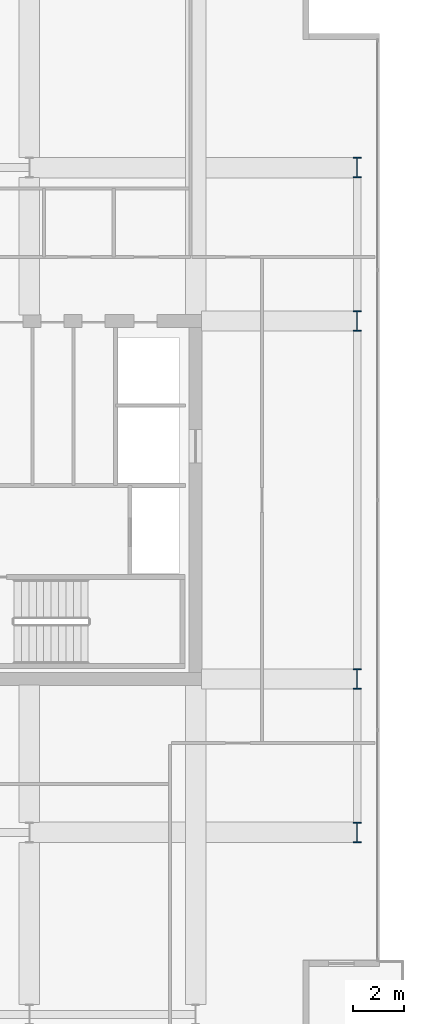
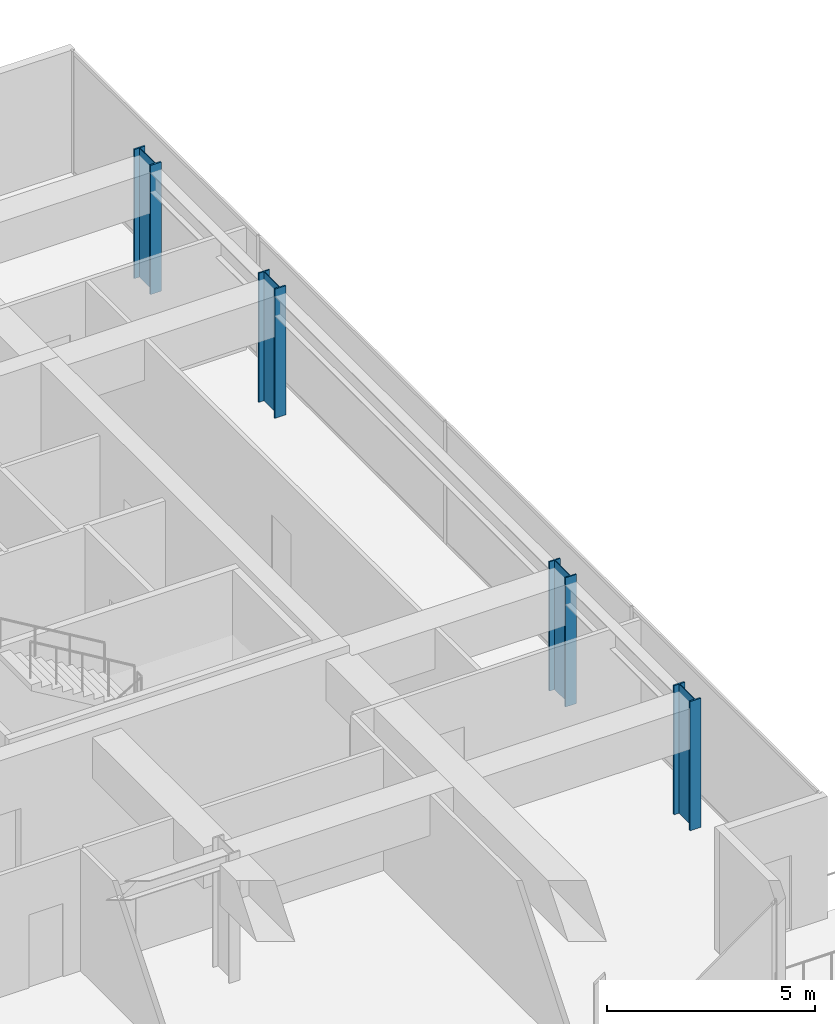
# One storey, part 2 of 24: 4 columns.
"""IFC4 building model written with IfcOpenShell, lengths in metres."""

from ifc_helpers import new_model, si_unit, direction, frame, origin, origin_2d, place, context, subcontext, project, spatial, i_section, extrude, material, material_profile, profile_set, type_object, element, save


model = new_model("IFC4")

# Units and contexts
model_context = context("Model", 3, precision=1e-05, world=origin(), true_north=direction((0.0, 1.0)))
body_context = subcontext(model_context, "Body", "Model", "MODEL_VIEW")
ifc_project = project(units=[si_unit("LENGTHUNIT", "METRE"), si_unit("AREAUNIT", "SQUARE_METRE"), si_unit("VOLUMEUNIT", "CUBIC_METRE"), si_unit("PLANEANGLEUNIT", "RADIAN"), si_unit("MASSUNIT", "GRAM", prefix="KILO")], contexts=[model_context])

# Site, building, storey
site_placement = place(None, origin())
site = spatial("IfcSite", under=ifc_project, at=site_placement, CompositionType="ELEMENT")
building_placement = place(site_placement, origin())
building = spatial("IfcBuilding", under=site, at=building_placement, Name="Putna Gate Headquarters", CompositionType="ELEMENT")
storey_placement = place(building_placement, frame((0.0, 0.0, 251.800048828125)))
storey = spatial("IfcBuildingStorey", under=building, at=storey_placement, Name="L63", CompositionType="ELEMENT", Elevation=251.800048828125)

# Columns
ifc_material = material(Name="Steel S460M", Category="steel")
ifc_material_profile = material_profile(ifc_material, i_section(OverallWidth=0.302978515625, OverallDepth=0.81396484375, WebThickness=0.02099609375, FlangeThickness=0.0400390625, at=origin_2d()), Name="Steel S460M")
ifc_profile_set = profile_set([ifc_material_profile], Name="Steel S460M")
column_type = type_object("IfcColumnType", Name="COL-STL-HEM800-EXT", PredefinedType="COLUMN", material=ifc_profile_set)
for number, where, z_axis, x_axis, name in (
    (1, (71.320068359375, 13.0, 0.0), (0.0, 0.0, 1.0), (1.0, 0.0, 0.0), "L63 Column CP-E13"),
    (2, (71.320068359375, 19.0, 0.0), (0.0, 0.0, 1.0), (1.0, 0.0, 0.0), "L63 Column CP-E19"),
    (3, (71.320068359375, 33.0, 0.0), (0.0, 0.0, 1.0), (1.0, 0.0, 0.0), "L63 Column CP-E33"),
    (4, (71.320068359375, 39.0, 0.0), (0.0, 0.0, 1.0), (1.0, 0.0, 0.0), "L63 Column CP-E39"),
):
    element("IfcColumn", number, at=place(storey_placement, frame(where, z_axis=z_axis, x_axis=x_axis)), inside=storey, type_object=column_type, Name=name, PredefinedType="COLUMN", context=body_context, shape_type="SweptSolid", body=[
        extrude(i_section(OverallWidth=0.302978515625, OverallDepth=0.81396484375, WebThickness=0.02099609375, FlangeThickness=0.0400390625, at=origin_2d()), origin(), (0.0, 0.0, 1.0), 3.800048828125),
    ])

save(model, "model.ifc")
